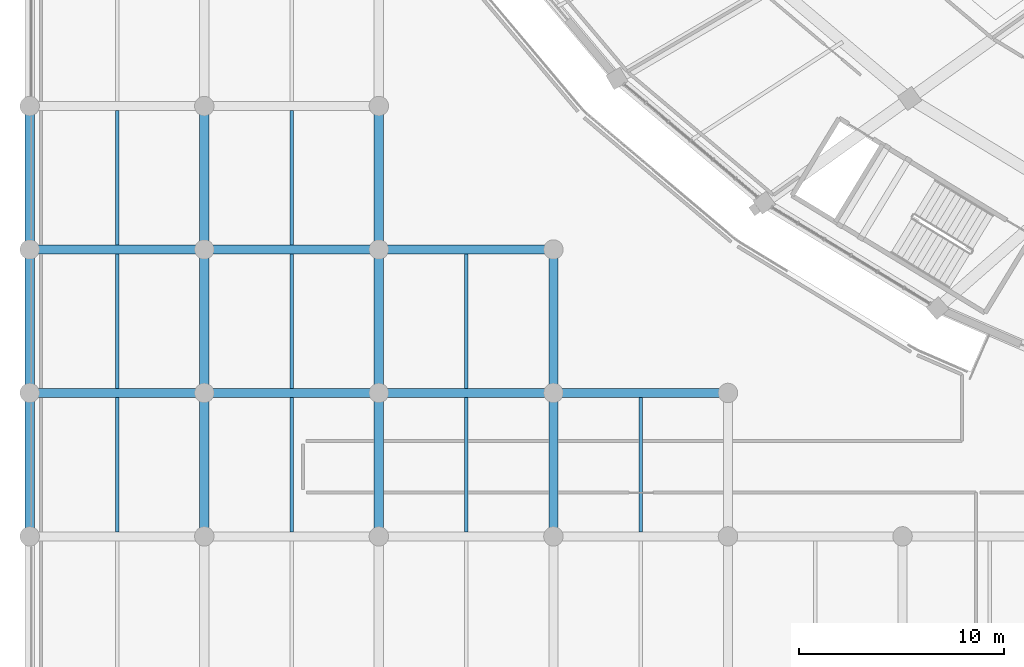
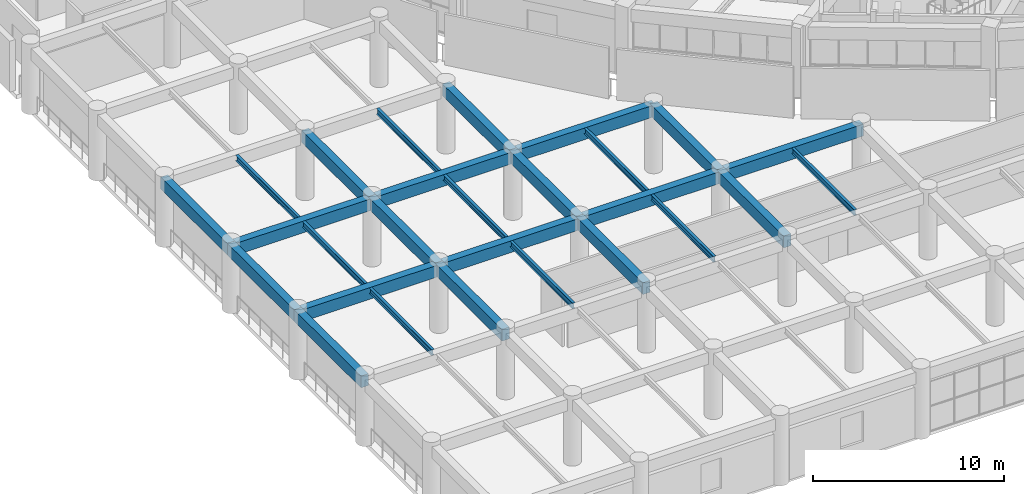
# One storey, part 12 of 145: 27 beams.
"""IFC4 building model written with IfcOpenShell, lengths in metres."""

from ifc_helpers import new_model, si_unit, direction, frame, origin, origin_2d, place, context, subcontext, project, spatial, rectangle, i_section, extrude, material, material_profile, profile_set, type_object, element, save


model = new_model("IFC4")

# Units and contexts
model_context = context("Model", 3, precision=1e-05, world=origin(), true_north=direction((0.0, 1.0)))
body_context = subcontext(model_context, "Body", "Model", "MODEL_VIEW")
ifc_project = project(units=[si_unit("LENGTHUNIT", "METRE"), si_unit("AREAUNIT", "SQUARE_METRE"), si_unit("VOLUMEUNIT", "CUBIC_METRE"), si_unit("PLANEANGLEUNIT", "RADIAN"), si_unit("MASSUNIT", "GRAM", prefix="KILO")], contexts=[model_context])

# Site, building, storey
site_placement = place(None, origin())
site = spatial("IfcSite", under=ifc_project, at=site_placement, CompositionType="ELEMENT")
building_placement = place(site_placement, origin())
building = spatial("IfcBuilding", under=site, at=building_placement, Name="Mphavela Belvedere Stadium", CompositionType="ELEMENT")
storey_placement = place(building_placement, frame((0.0, 0.0, 10.199951171875)))
storey = spatial("IfcBuildingStorey", under=building, at=storey_placement, Name="L02", CompositionType="ELEMENT", Elevation=10.199951171875)

# Beams
ifc_material_1 = material(Name="Steel S355", Category="steel")
ifc_material_profile_1 = material_profile(ifc_material_1, i_section(OverallWidth=0.169921875, OverallDepth=0.360107421875, WebThickness=0.008056640625, FlangeThickness=0.0126953125, at=origin_2d()), Name="IPE 360")
ifc_profile_set_1 = profile_set([ifc_material_profile_1], Name="Steel S355")
beam_type_1 = type_object("IfcBeamType", Name="BM-JOIST-IPE360", PredefinedType="JOIST", material=ifc_profile_set_1)
for number, where, z_axis, x_axis, name in (
    (1, (4.259521484375, 14.22509765625, 4.06005859375), (0.0, 1.0, 0.0), (-1.0, 0.0, 0.0), "South Axial Triumphal Peristyle Portico secondary joist L02 1-3"),
    (2, (4.259521484375, 21.22509765625, 4.06005859375), (0.0, 1.0, 0.0), (-1.0, 0.0, 0.0), "South Axial Triumphal Peristyle Portico secondary joist L02 1-4"),
    (3, (4.259521484375, 28.22509765625, 4.06005859375), (0.0, 1.0, 0.0), (-1.0, 0.0, 0.0), "South Axial Triumphal Peristyle Portico secondary joist L02 1-5"),
    (4, (12.778076171875, 14.22509765625, 4.06005859375), (0.0, 1.0, 0.0), (-1.0, 0.0, 0.0), "South Axial Triumphal Peristyle Portico secondary joist L02 2-3"),
    (5, (12.778076171875, 21.22509765625, 4.06005859375), (0.0, 1.0, 0.0), (-1.0, 0.0, 0.0), "South Axial Triumphal Peristyle Portico secondary joist L02 2-4"),
    (6, (12.778076171875, 28.22509765625, 4.06005859375), (0.0, 1.0, 0.0), (-1.0, 0.0, 0.0), "South Axial Triumphal Peristyle Portico secondary joist L02 2-5"),
    (7, (21.29638671875, 14.22509765625, 4.06005859375), (0.0, 1.0, 0.0), (-1.0, 0.0, 0.0), "South Axial Triumphal Peristyle Portico secondary joist L02 3-3"),
    (8, (21.29638671875, 21.22509765625, 4.06005859375), (0.0, 1.0, 0.0), (-1.0, 0.0, 0.0), "South Axial Triumphal Peristyle Portico secondary joist L02 3-4"),
    (9, (29.81494140625, 14.22509765625, 4.06005859375), (0.0, 1.0, 0.0), (-1.0, 0.0, 0.0), "South Axial Triumphal Peristyle Portico secondary joist L02 4-3"),
):
    element("IfcBeam", number, at=place(storey_placement, frame(where, z_axis=z_axis, x_axis=x_axis)), inside=storey, type_object=beam_type_1, Name=name, PredefinedType="JOIST", context=body_context, shape_type="SweptSolid", body=[
        extrude(i_section(OverallWidth=0.169921875, OverallDepth=0.360107421875, WebThickness=0.008056640625, FlangeThickness=0.0126953125, at=origin_2d()), origin(), (0.0, 0.0, 1.0), 6.5498046875),
    ])
ifc_material_2 = material(Name="Concrete C40/50", Category="concrete")
ifc_material_profile_2 = material_profile(ifc_material_2, rectangle(XDim=0.449951171875, YDim=0.75, at=origin_2d()), Name="RC 450x750")
ifc_profile_set_2 = profile_set([ifc_material_profile_2], Name="Concrete C40/50")
beam_type_2 = type_object("IfcBeamType", Name="BM-RC450x750", PredefinedType="BEAM", material=ifc_profile_set_2)
beam_1_placement = place(storey_placement, frame((0.0, 14.0, 3.864990234375), z_axis=(0.0, 1.0, 0.0), x_axis=(-1.0, 0.0, 0.0)))
element("IfcBeam", 10, at=beam_1_placement, inside=storey, type_object=beam_type_2, Name="South Axial Triumphal Peristyle Portico entablature beam Y L02 1-3", PredefinedType="BEAM", context=body_context, shape_type="SweptSolid", body=[
    extrude(rectangle(XDim=0.449951171875, YDim=0.75, at=origin_2d()), origin(), (0.0, 0.0, 1.0), 7.0),
])
beam_2_placement = place(storey_placement, frame((0.0, 21.0, 3.864990234375), z_axis=(1.0, 0.0, 0.0), x_axis=(0.0, 1.0, 0.0)))
element("IfcBeam", 11, at=beam_2_placement, inside=storey, type_object=beam_type_2, Name="South Axial Triumphal Peristyle Portico entablature beam X L02 1-4", PredefinedType="BEAM", context=body_context, shape_type="SweptSolid", body=[
    extrude(rectangle(XDim=0.449951171875, YDim=0.75, at=origin_2d()), origin(), (0.0, 0.0, 1.0), 8.51904296875),
])
beam_3_placement = place(storey_placement, frame((0.0, 21.0, 3.864990234375), z_axis=(0.0, 1.0, 0.0), x_axis=(-1.0, 0.0, 0.0)))
element("IfcBeam", 12, at=beam_3_placement, inside=storey, type_object=beam_type_2, Name="South Axial Triumphal Peristyle Portico entablature beam Y L02 1-4", PredefinedType="BEAM", context=body_context, shape_type="SweptSolid", body=[
    extrude(rectangle(XDim=0.449951171875, YDim=0.75, at=origin_2d()), origin(), (0.0, 0.0, 1.0), 7.0),
])
beam_4_placement = place(storey_placement, frame((0.0, 28.0, 3.864990234375), z_axis=(1.0, 0.0, 0.0), x_axis=(0.0, 1.0, 0.0)))
element("IfcBeam", 13, at=beam_4_placement, inside=storey, type_object=beam_type_2, Name="South Axial Triumphal Peristyle Portico entablature beam X L02 1-5", PredefinedType="BEAM", context=body_context, shape_type="SweptSolid", body=[
    extrude(rectangle(XDim=0.449951171875, YDim=0.75, at=origin_2d()), origin(), (0.0, 0.0, 1.0), 8.51904296875),
])
for number, where, z_axis, x_axis, name in (
    (14, (0.0, 28.0, 3.864990234375), (0.0, 1.0, 0.0), (-1.0, 0.0, 0.0), "South Axial Triumphal Peristyle Portico entablature beam Y L02 1-5"),
    (15, (8.51904296875, 14.0, 3.864990234375), (0.0, 1.0, 0.0), (-1.0, 0.0, 0.0), "South Axial Triumphal Peristyle Portico entablature beam Y L02 2-3"),
):
    element("IfcBeam", number, at=place(storey_placement, frame(where, z_axis=z_axis, x_axis=x_axis)), inside=storey, type_object=beam_type_2, Name=name, PredefinedType="BEAM", context=body_context, shape_type="SweptSolid", body=[
        extrude(rectangle(XDim=0.449951171875, YDim=0.75, at=origin_2d()), origin(), (0.0, 0.0, 1.0), 7.0),
    ])
beam_5_placement = place(storey_placement, frame((8.51904296875, 21.0, 3.864990234375), z_axis=(1.0, 0.0, 0.0), x_axis=(0.0, 1.0, 0.0)))
element("IfcBeam", 16, at=beam_5_placement, inside=storey, type_object=beam_type_2, Name="South Axial Triumphal Peristyle Portico entablature beam X L02 2-4", PredefinedType="BEAM", context=body_context, shape_type="SweptSolid", body=[
    extrude(rectangle(XDim=0.449951171875, YDim=0.75, at=origin_2d()), origin(), (0.0, 0.0, 1.0), 8.51806640625),
])
beam_6_placement = place(storey_placement, frame((8.51904296875, 21.0, 3.864990234375), z_axis=(0.0, 1.0, 0.0), x_axis=(-1.0, 0.0, 0.0)))
element("IfcBeam", 17, at=beam_6_placement, inside=storey, type_object=beam_type_2, Name="South Axial Triumphal Peristyle Portico entablature beam Y L02 2-4", PredefinedType="BEAM", context=body_context, shape_type="SweptSolid", body=[
    extrude(rectangle(XDim=0.449951171875, YDim=0.75, at=origin_2d()), origin(), (0.0, 0.0, 1.0), 7.0),
])
beam_7_placement = place(storey_placement, frame((8.51904296875, 28.0, 3.864990234375), z_axis=(1.0, 0.0, 0.0), x_axis=(0.0, 1.0, 0.0)))
element("IfcBeam", 18, at=beam_7_placement, inside=storey, type_object=beam_type_2, Name="South Axial Triumphal Peristyle Portico entablature beam X L02 2-5", PredefinedType="BEAM", context=body_context, shape_type="SweptSolid", body=[
    extrude(rectangle(XDim=0.449951171875, YDim=0.75, at=origin_2d()), origin(), (0.0, 0.0, 1.0), 8.51806640625),
])
for number, where, z_axis, x_axis, name in (
    (19, (8.51904296875, 28.0, 3.864990234375), (0.0, 1.0, 0.0), (-1.0, 0.0, 0.0), "South Axial Triumphal Peristyle Portico entablature beam Y L02 2-5"),
    (20, (17.037109375, 14.0, 3.864990234375), (0.0, 1.0, 0.0), (-1.0, 0.0, 0.0), "South Axial Triumphal Peristyle Portico entablature beam Y L02 3-3"),
):
    element("IfcBeam", number, at=place(storey_placement, frame(where, z_axis=z_axis, x_axis=x_axis)), inside=storey, type_object=beam_type_2, Name=name, PredefinedType="BEAM", context=body_context, shape_type="SweptSolid", body=[
        extrude(rectangle(XDim=0.449951171875, YDim=0.75, at=origin_2d()), origin(), (0.0, 0.0, 1.0), 7.0),
    ])
beam_8_placement = place(storey_placement, frame((17.037109375, 21.0, 3.864990234375), z_axis=(1.0, 0.0, 0.0), x_axis=(0.0, 1.0, 0.0)))
element("IfcBeam", 21, at=beam_8_placement, inside=storey, type_object=beam_type_2, Name="South Axial Triumphal Peristyle Portico entablature beam X L02 3-4", PredefinedType="BEAM", context=body_context, shape_type="SweptSolid", body=[
    extrude(rectangle(XDim=0.449951171875, YDim=0.75, at=origin_2d()), origin(), (0.0, 0.0, 1.0), 8.518798828125),
])
beam_9_placement = place(storey_placement, frame((17.037109375, 21.0, 3.864990234375), z_axis=(0.0, 1.0, 0.0), x_axis=(-1.0, 0.0, 0.0)))
element("IfcBeam", 22, at=beam_9_placement, inside=storey, type_object=beam_type_2, Name="South Axial Triumphal Peristyle Portico entablature beam Y L02 3-4", PredefinedType="BEAM", context=body_context, shape_type="SweptSolid", body=[
    extrude(rectangle(XDim=0.449951171875, YDim=0.75, at=origin_2d()), origin(), (0.0, 0.0, 1.0), 7.0),
])
beam_10_placement = place(storey_placement, frame((17.037109375, 28.0, 3.864990234375), z_axis=(1.0, 0.0, 0.0), x_axis=(0.0, 1.0, 0.0)))
element("IfcBeam", 23, at=beam_10_placement, inside=storey, type_object=beam_type_2, Name="South Axial Triumphal Peristyle Portico entablature beam X L02 3-5", PredefinedType="BEAM", context=body_context, shape_type="SweptSolid", body=[
    extrude(rectangle(XDim=0.449951171875, YDim=0.75, at=origin_2d()), origin(), (0.0, 0.0, 1.0), 8.518798828125),
])
for number, where, z_axis, x_axis, name in (
    (24, (17.037109375, 28.0, 3.864990234375), (0.0, 1.0, 0.0), (-1.0, 0.0, 0.0), "South Axial Triumphal Peristyle Portico entablature beam Y L02 3-5"),
    (25, (25.555908203125, 14.0, 3.864990234375), (0.0, 1.0, 0.0), (-1.0, 0.0, 0.0), "South Axial Triumphal Peristyle Portico entablature beam Y L02 4-3"),
):
    element("IfcBeam", number, at=place(storey_placement, frame(where, z_axis=z_axis, x_axis=x_axis)), inside=storey, type_object=beam_type_2, Name=name, PredefinedType="BEAM", context=body_context, shape_type="SweptSolid", body=[
        extrude(rectangle(XDim=0.449951171875, YDim=0.75, at=origin_2d()), origin(), (0.0, 0.0, 1.0), 7.0),
    ])
beam_11_placement = place(storey_placement, frame((25.555908203125, 21.0, 3.864990234375), z_axis=(1.0, 0.0, 0.0), x_axis=(0.0, 1.0, 0.0)))
element("IfcBeam", 26, at=beam_11_placement, inside=storey, type_object=beam_type_2, Name="South Axial Triumphal Peristyle Portico entablature beam X L02 4-4", PredefinedType="BEAM", context=body_context, shape_type="SweptSolid", body=[
    extrude(rectangle(XDim=0.449951171875, YDim=0.75, at=origin_2d()), origin(), (0.0, 0.0, 1.0), 8.51806640625),
])
beam_12_placement = place(storey_placement, frame((25.555908203125, 21.0, 3.864990234375), z_axis=(0.0, 1.0, 0.0), x_axis=(-1.0, 0.0, 0.0)))
element("IfcBeam", 27, at=beam_12_placement, inside=storey, type_object=beam_type_2, Name="South Axial Triumphal Peristyle Portico entablature beam Y L02 4-4", PredefinedType="BEAM", context=body_context, shape_type="SweptSolid", body=[
    extrude(rectangle(XDim=0.449951171875, YDim=0.75, at=origin_2d()), origin(), (0.0, 0.0, 1.0), 7.0),
])

save(model, "model.ifc")
